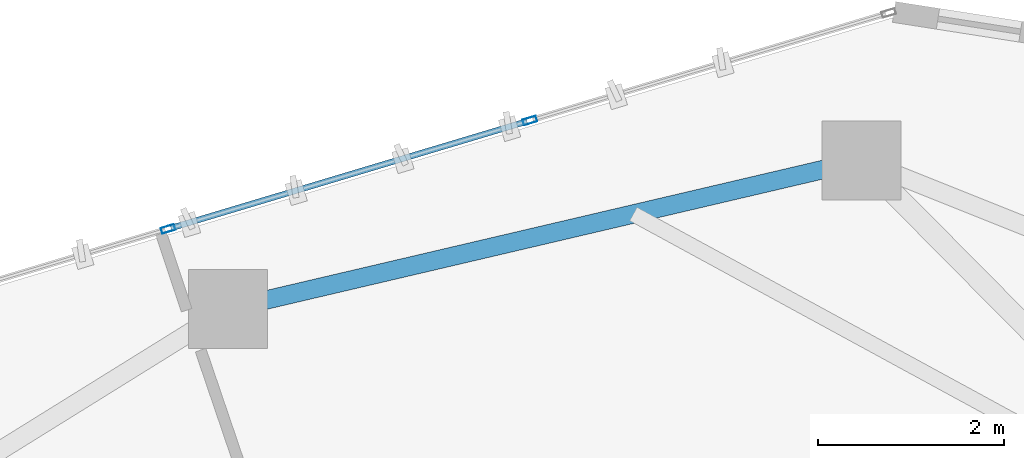
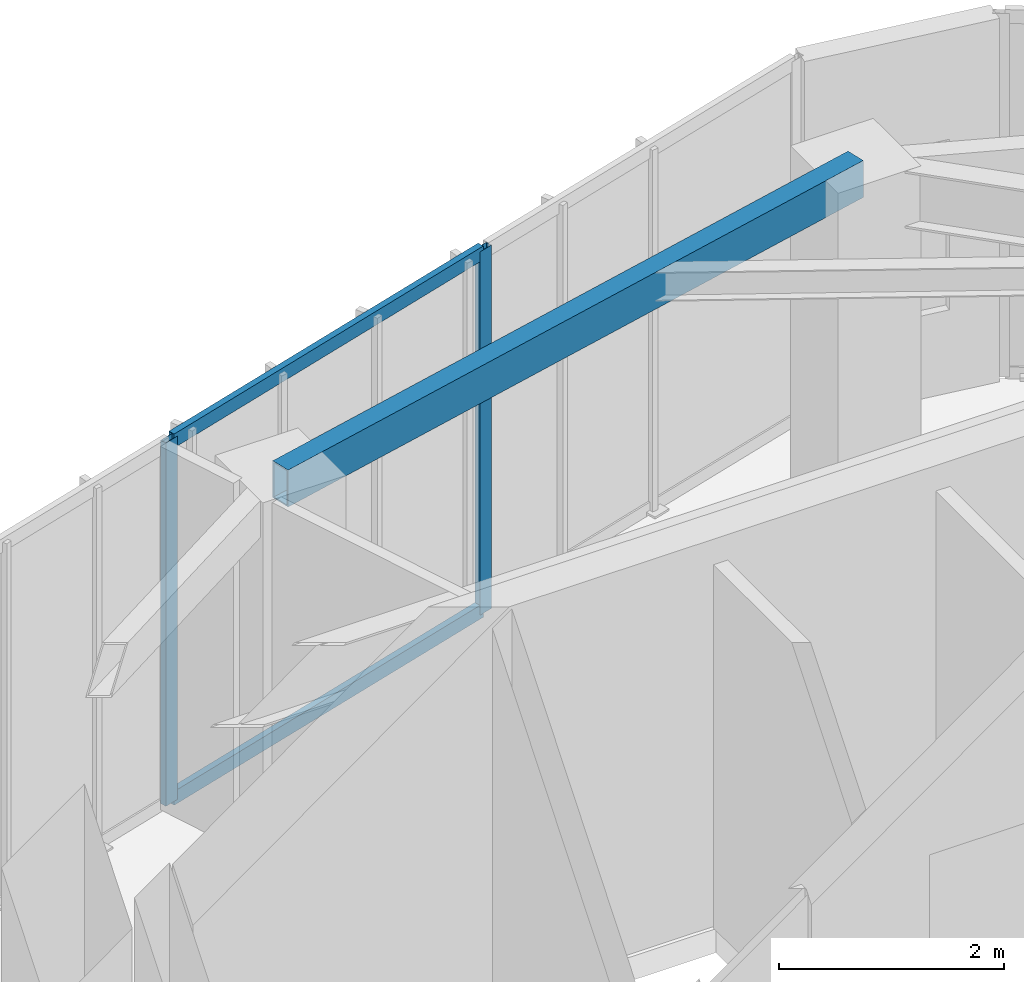
# One storey, part 10 of 20: 4 members, 1 beam, 1 element without a shape of its own.
"""IFC4 building model written with IfcOpenShell, lengths in metres."""

from ifc_helpers import new_model, si_unit, direction, frame, origin, origin_2d, place, context, subcontext, project, spatial, hollow_rectangle, extrude, source, transform, mapped, material, layer, layer_set, material_profile, profile_set, type_object, type_shapes, element, aggregate, save


model = new_model("IFC4")

# Units and contexts
model_context = context("Model", 3, precision=1e-05, world=origin(), true_north=direction((0.0, 1.0)))
body_context = subcontext(model_context, "Body", "Model", "MODEL_VIEW")
ifc_project = project(units=[si_unit("LENGTHUNIT", "METRE"), si_unit("AREAUNIT", "SQUARE_METRE"), si_unit("VOLUMEUNIT", "CUBIC_METRE"), si_unit("PLANEANGLEUNIT", "RADIAN"), si_unit("MASSUNIT", "GRAM", prefix="KILO")], contexts=[model_context])

# Site, building, storey
site_placement = place(None, origin())
site = spatial("IfcSite", under=ifc_project, at=site_placement, CompositionType="ELEMENT")
building_placement = place(site_placement, origin())
building = spatial("IfcBuilding", under=site, at=building_placement, Name="Talar Marvaseh", CompositionType="ELEMENT")
storey_placement = place(building_placement, frame((0.0, 0.0, 291.800048828125)))
storey = spatial("IfcBuildingStorey", under=building, at=storey_placement, Name="L78", CompositionType="ELEMENT", Elevation=291.800048828125)

# Beam
ifc_material_1 = material(Name="Steel S355", Category="steel")
ifc_material_profile_1 = material_profile(ifc_material_1, hollow_rectangle(XDim=0.199951171875, YDim=0.39990234375, WallThickness=0.013916015625, at=origin_2d()), Name="RHS400x200x14")
ifc_profile_set_1 = profile_set([ifc_material_profile_1], Name="Steel S355")
beam_type = type_object("IfcBeamType", Name="Zone 3 Perimeter Spandrel Beam RHS400x200x14", PredefinedType="SPANDREL", material=ifc_profile_set_1)
beam_placement = place(storey_placement, frame((22.364990234375, 39.4541015625, 3.739990234375), z_axis=(0.973655602276, 0.228023613157, 0.0), x_axis=(-0.228023613157, 0.973655602276, 0.0)))
element("IfcBeam", 1, at=beam_placement, inside=storey, type_object=beam_type, Name="L78 Zone 3 Perimeter Spandrel Beam RHS400x200x14", PredefinedType="SPANDREL", context=body_context, shape_type="SweptSolid", body=[
    extrude(hollow_rectangle(XDim=0.199951171875, YDim=0.39990234375, WallThickness=0.013916015625, at=origin_2d()), origin(), (0.0, 0.0, 1.0), 7.007568359375),
])

# Curtain wall, members
ifc_material_2 = material(Name="Architectural Aluminium", Category="aluminium")
ifc_layer = layer(ifc_material_2, 0.239990234375)
ifc_layer_set = layer_set([ifc_layer], Name="Architectural Aluminium")
curtain_wall_type = type_object("IfcCurtainWallType", Name="Observation Sky Gallery Structural Glass Wall", PredefinedType="NOTDEFINED", material=ifc_layer_set)
curtain_wall_placement = place(storey_placement, origin())
curtain_wall = element("IfcCurtainWall", 2, at=curtain_wall_placement, inside=storey, type_object=curtain_wall_type, Name="L78 Observation Sky Gallery Structural Glass Wall", PredefinedType="NOTDEFINED")
ifc_material_profile_2 = material_profile(ifc_material_2, hollow_rectangle(XDim=0.06494140625, YDim=0.14990234375, WallThickness=0.00390625, at=origin_2d()), Name="RHS150x65x4")
ifc_profile_set_2 = profile_set([ifc_material_profile_2], Name="Architectural Aluminium")
member_type_1 = type_object("IfcMemberType", Name="Unitised Curtain Wall Slim Transom RHS150x65x4", PredefinedType="USERDEFINED", material=ifc_profile_set_2)
shared_shape_1 = source(origin(), body_context, "Body", "SweptSolid", [
    extrude(hollow_rectangle(XDim=0.06494140625, YDim=0.14990234375, WallThickness=0.00390625, at=origin_2d()), origin(), (0.0, 0.0, 1.0), 4.00341796875),
])
type_shapes(member_type_1, [shared_shape_1])
member_1_placement = place(storey_placement, frame((21.7509765625, 40.324951171875, 0.032470703125), z_axis=(0.957916872472, 0.287045754948, 0.0), x_axis=(-0.287045754948, 0.957916872472, 0.0)))
member_1 = element("IfcMember", 3, at=member_1_placement, type_object=member_type_1, Name="CW-OBS transom 2.1", ObjectType="TRANSOM", PredefinedType="USERDEFINED", context=body_context, shape_type="MappedRepresentation", body=[
    mapped(shared_shape_1, transform((0.0, 0.0, 0.0), x_axis=(1.0, 0.0, 0.0), y_axis=(0.0, 1.0, 0.0), z_axis=(0.0, 0.0, 1.0), scale=1.0)),
])
member_2_placement = place(storey_placement, frame((21.7509765625, 40.324951171875, 3.907470703125), z_axis=(0.957916872472, 0.287045754948, 0.0), x_axis=(-0.287045754948, 0.957916872472, 0.0)))
member_2 = element("IfcMember", 4, at=member_2_placement, type_object=member_type_1, Name="CW-OBS transom 2.2", ObjectType="TRANSOM", PredefinedType="USERDEFINED", context=body_context, shape_type="MappedRepresentation", body=[
    mapped(shared_shape_1, transform((0.0, 0.0, 0.0), x_axis=(1.0, 0.0, 0.0), y_axis=(0.0, 1.0, 0.0), z_axis=(0.0, 0.0, 1.0), scale=1.0)),
])
ifc_material_profile_3 = material_profile(ifc_material_2, hollow_rectangle(XDim=0.06494140625, YDim=0.14990234375, WallThickness=0.00390625, at=origin_2d()), Name="RHS150x65x4")
ifc_profile_set_3 = profile_set([ifc_material_profile_3], Name="Architectural Aluminium")
member_type_2 = type_object("IfcMemberType", Name="Unitised Curtain Wall Slim Mullion RHS150x65x4", PredefinedType="MULLION", material=ifc_profile_set_3)
shared_shape_2 = source(origin(), body_context, "Body", "SweptSolid", [
    extrude(hollow_rectangle(XDim=0.06494140625, YDim=0.14990234375, WallThickness=0.00390625, at=origin_2d()), origin(), (0.0, 0.0, 1.0), 3.93994140625),
])
type_shapes(member_type_2, [shared_shape_2])
member_3_placement = place(storey_placement, frame((21.7197265625, 40.315673828125, 0.0), z_axis=(0.0, 0.0, 1.0), x_axis=(-0.287063008418, 0.957911702193, 0.0)))
member_3 = element("IfcMember", 5, at=member_3_placement, type_object=member_type_2, Name="CW-OBS mullion 2", PredefinedType="MULLION", context=body_context, shape_type="MappedRepresentation", body=[
    mapped(shared_shape_2, transform((0.0, 0.0, 0.0), x_axis=(1.0, 0.0, 0.0), y_axis=(0.0, 1.0, 0.0), z_axis=(0.0, 0.0, 1.0), scale=1.0)),
])
member_4_placement = place(storey_placement, frame((25.6171875, 41.483642578125, 0.0), z_axis=(0.0, 0.0, 1.0), x_axis=(-0.287063008418, 0.957911702193, 0.0)))
member_4 = element("IfcMember", 6, at=member_4_placement, type_object=member_type_2, Name="CW-OBS mullion 3", PredefinedType="MULLION", context=body_context, shape_type="MappedRepresentation", body=[
    mapped(shared_shape_2, transform((0.0, 0.0, 0.0), x_axis=(1.0, 0.0, 0.0), y_axis=(0.0, 1.0, 0.0), z_axis=(0.0, 0.0, 1.0), scale=1.0)),
])
aggregate(curtain_wall, [member_3, member_4, member_1, member_2])

save(model, "model.ifc")
